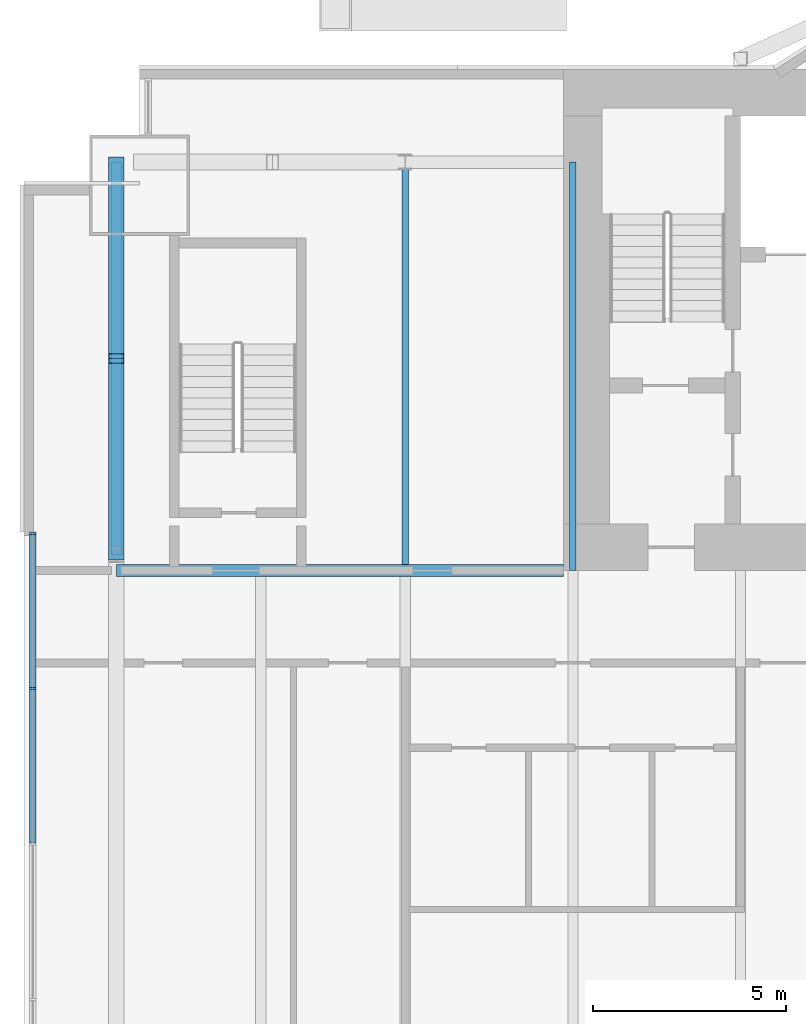
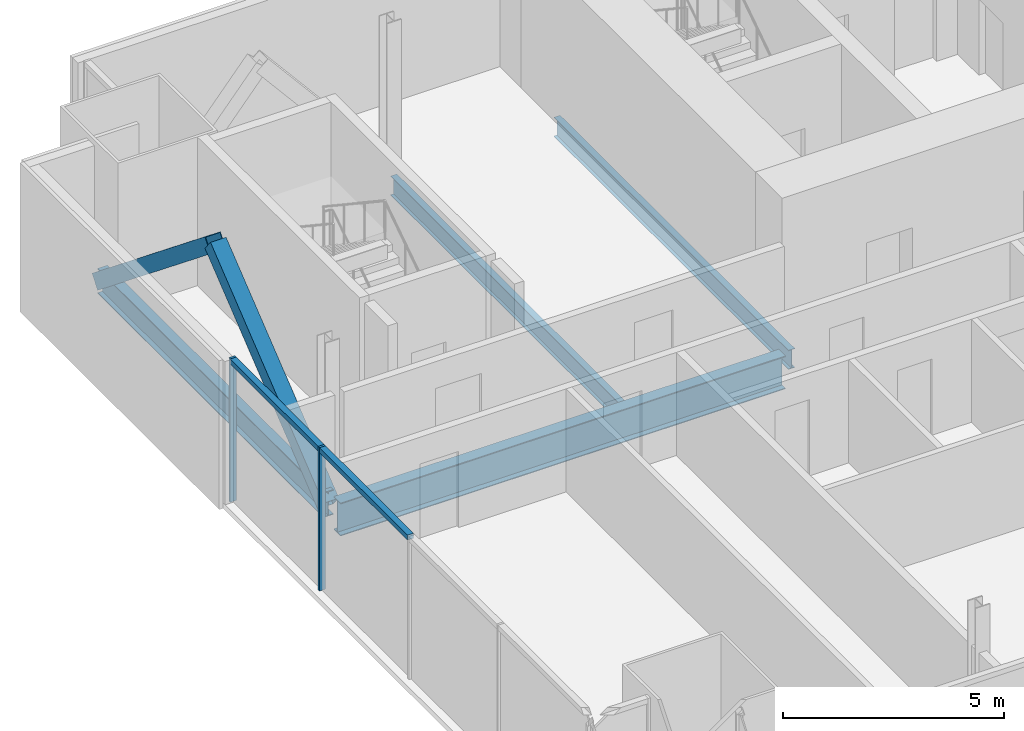
# One storey, part 7 of 20: 6 members, 4 beams, 1 element without a shape of its own.
"""IFC4 building model written with IfcOpenShell, lengths in metres."""

from ifc_helpers import new_model, si_unit, direction, frame, origin, origin_2d, place, context, subcontext, project, spatial, rectangle, hollow_rectangle, i_section, extrude, material, material_profile, profile_set, type_object, element, aggregate, save


model = new_model("IFC4")

# Units and contexts
model_context = context("Model", 3, precision=1e-05, world=origin(), true_north=direction((0.0, 1.0)))
body_context = subcontext(model_context, "Body", "Model", "MODEL_VIEW")
ifc_project = project(units=[si_unit("LENGTHUNIT", "METRE"), si_unit("AREAUNIT", "SQUARE_METRE"), si_unit("VOLUMEUNIT", "CUBIC_METRE"), si_unit("PLANEANGLEUNIT", "RADIAN"), si_unit("MASSUNIT", "GRAM", prefix="KILO")], contexts=[model_context])

# Site, building, storey
site_placement = place(None, origin())
site = spatial("IfcSite", under=ifc_project, at=site_placement, CompositionType="ELEMENT")
building_placement = place(site_placement, origin())
building = spatial("IfcBuilding", under=site, at=building_placement, Name="Bicima Exchange Tower", CompositionType="ELEMENT")
storey_placement = place(building_placement, frame((0.0, 0.0, 219.60009765625)))
storey = spatial("IfcBuildingStorey", under=building, at=storey_placement, Name="L49", CompositionType="ELEMENT", Elevation=219.60009765625)

# Beam
ifc_material_1 = material(Name="Steel ASTM A992 Gr 50", Category="steel")
ifc_material_profile_1 = material_profile(ifc_material_1, i_section(OverallWidth=0.3046875, OverallDepth=0.911865234375, WebThickness=0.015869140625, FlangeThickness=0.02392578125, at=origin_2d()))
ifc_profile_set_1 = profile_set([ifc_material_profile_1], Name="Steel ASTM A992 Gr 50")
beam_type_1 = type_object("IfcBeamType", Name="Core-line girder W36x150", PredefinedType="BEAM", material=ifc_profile_set_1)
beam_1_placement = place(storey_placement, frame((-22.0, -13.0, -0.60595703125), z_axis=(-1.0, 0.0, 0.0), x_axis=(0.0, -1.0, 0.0)))
element("IfcBeam", 1, at=beam_1_placement, inside=storey, type_object=beam_type_1, Name="Core-line girder", PredefinedType="BEAM", context=body_context, shape_type="SweptSolid", body=[
    extrude(i_section(OverallWidth=0.3046875, OverallDepth=0.911865234375, WebThickness=0.015869140625, FlangeThickness=0.02392578125, at=origin_2d()), origin(), (0.0, 0.0, 1.0), 11.60009765625),
])

# Curtain wall, members
ifc_material_2 = material(Name="Anodised bronze aluminium", Category="aluminium")
curtain_wall_type = type_object("IfcCurtainWallType", Name="End face glass wall", PredefinedType="NOTDEFINED", material=ifc_material_2)
curtain_wall_placement = place(storey_placement, origin())
curtain_wall = element("IfcCurtainWall", 2, at=curtain_wall_placement, inside=storey, type_object=curtain_wall_type, Name="End face glass wall L49 run 2", PredefinedType="NOTDEFINED")
ifc_material_profile_2 = material_profile(ifc_material_2, rectangle(XDim=0.159912109375, YDim=0.06005859375, at=origin_2d()))
ifc_profile_set_2 = profile_set([ifc_material_profile_2], Name="Anodised bronze aluminium")
member_type_1 = type_object("IfcMemberType", Name="End face glass wall mullion 60 x 160", PredefinedType="MULLION", material=ifc_profile_set_2)
member_1_placement = place(storey_placement, frame((-35.77001953125, -12.030029296875, 0.0), z_axis=(0.0, 0.0, 1.0), x_axis=(1.0, 0.0, 0.0)))
member_1 = element("IfcMember", 3, at=member_1_placement, type_object=member_type_1, Name="End face glass wall mullion 1", PredefinedType="MULLION", context=body_context, shape_type="SweptSolid", body=[
    extrude(rectangle(XDim=0.159912109375, YDim=0.06005859375, at=origin_2d()), origin(), (0.0, 0.0, 1.0), 3.949951171875),
])
member_2_placement = place(storey_placement, frame((-35.77001953125, -16.064453125, 0.0), z_axis=(0.0, 0.0, 1.0), x_axis=(1.0, 0.0, 0.0)))
member_2 = element("IfcMember", 4, at=member_2_placement, type_object=member_type_1, Name="End face glass wall mullion 2", PredefinedType="MULLION", context=body_context, shape_type="SweptSolid", body=[
    extrude(rectangle(XDim=0.159912109375, YDim=0.06005859375, at=origin_2d()), origin(), (0.0, 0.0, 1.0), 3.949951171875),
])
ifc_material_profile_3 = material_profile(ifc_material_2, rectangle(XDim=0.159912109375, YDim=0.139892578125, at=origin_2d()))
ifc_profile_set_3 = profile_set([ifc_material_profile_3], Name="Anodised bronze aluminium")
member_type_2 = type_object("IfcMemberType", Name="End face glass wall transom 140 x 160", PredefinedType="USERDEFINED", material=ifc_profile_set_3)
member_3_placement = place(storey_placement, frame((-35.77001953125, -12.06005859375, 3.8798828125), z_axis=(0.0, -1.0, 0.0), x_axis=(1.0, 0.0, 0.0)))
member_3 = element("IfcMember", 5, at=member_3_placement, type_object=member_type_2, Name="End face glass wall transom 1.1", ObjectType="TRANSOM", PredefinedType="USERDEFINED", context=body_context, shape_type="SweptSolid", body=[
    extrude(rectangle(XDim=0.159912109375, YDim=0.139892578125, at=origin_2d()), origin(), (0.0, 0.0, 1.0), 3.974365234375),
])
member_4_placement = place(storey_placement, frame((-35.77001953125, -16.094482421875, 3.8798828125), z_axis=(0.0, -1.0, 0.0), x_axis=(1.0, 0.0, 0.0)))
member_4 = element("IfcMember", 6, at=member_4_placement, type_object=member_type_2, Name="End face glass wall transom 2.1", ObjectType="TRANSOM", PredefinedType="USERDEFINED", context=body_context, shape_type="SweptSolid", body=[
    extrude(rectangle(XDim=0.159912109375, YDim=0.139892578125, at=origin_2d()), origin(), (0.0, 0.0, 1.0), 3.974609375),
])
aggregate(curtain_wall, [member_1, member_2, member_3, member_4])

# Beams
ifc_material_profile_4 = material_profile(ifc_material_1, i_section(OverallWidth=0.256591796875, OverallDepth=0.693359375, WebThickness=0.014404296875, FlangeThickness=0.023681640625, at=origin_2d()))
ifc_profile_set_4 = profile_set([ifc_material_profile_4], Name="Steel ASTM A992 Gr 50")
beam_type_2 = type_object("IfcBeamType", Name="End girder W27x114", PredefinedType="BEAM", material=ifc_profile_set_4)
beam_2_placement = place(storey_placement, frame((-33.60009765625, -2.39990234375, -0.496826171875), z_axis=(0.0, -1.0, 0.0), x_axis=(1.0, 0.0, 0.0)))
element("IfcBeam", 7, at=beam_2_placement, inside=storey, type_object=beam_type_2, Name="End girder", PredefinedType="BEAM", context=body_context, shape_type="SweptSolid", body=[
    extrude(i_section(OverallWidth=0.256591796875, OverallDepth=0.693359375, WebThickness=0.014404296875, FlangeThickness=0.023681640625, at=origin_2d()), origin(), (0.0, 0.0, 1.0), 10.2001953125),
])
ifc_material_profile_5 = material_profile(ifc_material_1, i_section(OverallWidth=0.165771484375, OverallDepth=0.5283203125, WebThickness=0.009765625, FlangeThickness=0.013671875, at=origin_2d()))
ifc_profile_set_5 = profile_set([ifc_material_profile_5], Name="Steel ASTM A992 Gr 50")
beam_type_3 = type_object("IfcBeamType", Name="Floor beam W21x50", PredefinedType="JOIST", material=ifc_profile_set_5)
beam_3_placement = place(storey_placement, frame((-26.10009765625, -2.5625, -0.414306640625), z_axis=(0.0, -1.0, 0.0), x_axis=(1.0, 0.0, 0.0)))
element("IfcBeam", 8, at=beam_3_placement, inside=storey, type_object=beam_type_3, Name="Floor beam", PredefinedType="JOIST", context=body_context, shape_type="SweptSolid", body=[
    extrude(i_section(OverallWidth=0.165771484375, OverallDepth=0.5283203125, WebThickness=0.009765625, FlangeThickness=0.013671875, at=origin_2d()), origin(), (0.0, 0.0, 1.0), 10.28515625),
])
beam_4_placement = place(storey_placement, frame((-21.75, -2.39990234375, -0.414306640625), z_axis=(0.0, -1.0, 0.0), x_axis=(1.0, 0.0, 0.0)))
element("IfcBeam", 9, at=beam_4_placement, inside=storey, type_object=beam_type_3, Name="Floor beam", PredefinedType="JOIST", context=body_context, shape_type="SweptSolid", body=[
    extrude(i_section(OverallWidth=0.165771484375, OverallDepth=0.5283203125, WebThickness=0.009765625, FlangeThickness=0.013671875, at=origin_2d()), origin(), (0.0, 0.0, 1.0), 10.60009765625),
])

# Members
ifc_material_3 = material(Name="Steel ASTM A572 Gr 50", Category="steel")
ifc_material_profile_6 = material_profile(ifc_material_3, hollow_rectangle(XDim=0.406494140625, YDim=0.406494140625, WallThickness=0.0146484375, at=origin_2d()))
ifc_profile_set_6 = profile_set([ifc_material_profile_6], Name="Steel ASTM A572 Gr 50")
member_type_3 = type_object("IfcMemberType", Name="Mega brace HSS16x16x5/8", PredefinedType="BRACE", material=ifc_profile_set_6)
for number, where, z_axis, x_axis, name in (
    (10, (-33.60009765625, -2.39990234375, -0.496826171875), (0.0, -0.779374241895, 0.626558689247), (1.0, 0.0, 0.0), "Mega brace west end"),
    (11, (-33.60009765625, -12.60009765625, -0.496826171875), (0.0, 0.779374241895, 0.626558689247), (-1.0, 0.0, 0.0), "Mega brace west end"),
):
    element("IfcMember", number, at=place(storey_placement, frame(where, z_axis=z_axis, x_axis=x_axis)), inside=storey, type_object=member_type_3, Name=name, PredefinedType="BRACE", context=body_context, shape_type="SweptSolid", body=[
        extrude(hollow_rectangle(XDim=0.406494140625, YDim=0.406494140625, WallThickness=0.0146484375, at=origin_2d()), origin(), (0.0, 0.0, 1.0), 6.5439453125),
    ])

save(model, "model.ifc")
